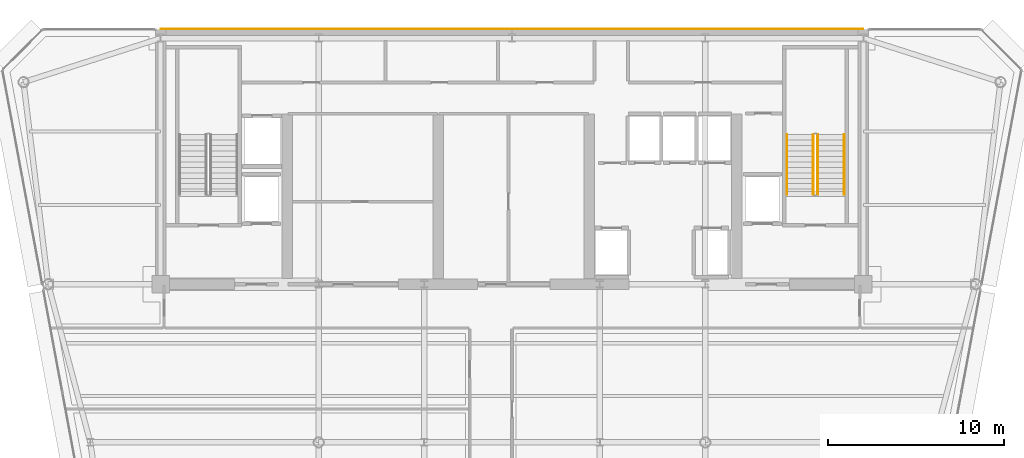
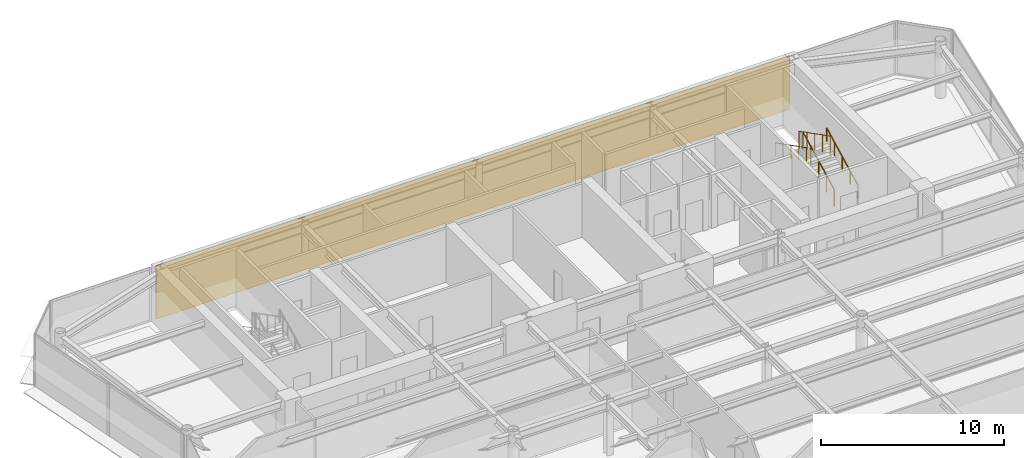
# One storey, part 17 of 18: 4 railings, 1 covering.
"""IFC4 building model written with IfcOpenShell, lengths in metres."""

from ifc_helpers import new_model, si_unit, direction, frame, origin, origin_2d, place, context, subcontext, project, spatial, polyline, circle, outline, extrude, material, layer, layer_set, type_object, element, save


model = new_model("IFC4")

# Units and contexts
model_context = context("Model", 3, precision=1e-05, world=origin(), true_north=direction((0.0, 1.0)))
body_context = subcontext(model_context, "Body", "Model", "MODEL_VIEW")
ifc_project = project(units=[si_unit("LENGTHUNIT", "METRE"), si_unit("AREAUNIT", "SQUARE_METRE"), si_unit("VOLUMEUNIT", "CUBIC_METRE"), si_unit("PLANEANGLEUNIT", "RADIAN"), si_unit("MASSUNIT", "GRAM", prefix="KILO")], contexts=[model_context])

# Site, building, storey
site_placement = place(None, origin())
site = spatial("IfcSite", under=ifc_project, at=site_placement, CompositionType="ELEMENT")
building_placement = place(site_placement, origin())
building = spatial("IfcBuilding", under=site, at=building_placement, Name="Vaeldorn Concourse Tower", CompositionType="ELEMENT")
storey_placement = place(building_placement, frame((0.0, 0.0, 242.199951171875)))
storey = spatial("IfcBuildingStorey", under=building, at=storey_placement, Name="L62", CompositionType="ELEMENT", Elevation=242.199951171875)

# Covering
ifc_material = material(Name="Anodised Bronze Aluminium", Category="aluminium")
ifc_layer = layer(ifc_material, 0.050048828125)
ifc_layer_set = layer_set([ifc_layer], Name="Anodised Bronze Aluminium")
covering_type = type_object("IfcCoveringType", Name="COV-CLAD-BRONZE", PredefinedType="CLADDING", material=ifc_layer_set)
covering_placement = place(storey_placement, origin())
element("IfcCovering", 1, at=covering_placement, inside=storey, type_object=covering_type, Name="Rear Core Bronze Spandrel Cladding L62", PredefinedType="CLADDING", context=body_context, shape_type="SweptSolid", body=[
    extrude(outline(polyline([(14.0, 51.0), (54.0, 51.0), (54.0, 51.050048828125), (14.0, 51.050048828125), (14.0, 51.0)])), origin(), (0.0, 0.0, 1.0), 3.580078125),
])

# Railings
railing_type_1 = type_object("IfcRailingType", Name="RL-STAIR-GUARD", PredefinedType="GUARDRAIL", material=ifc_material)
railing_1_placement = place(storey_placement, frame((51.39990234375, 41.60009765625, 0.158447265625)))
element("IfcRailing", 2, at=railing_1_placement, inside=storey, type_object=railing_type_1, Name="L62 ST-2 stair guard 1", PredefinedType="GUARDRAIL", context=body_context, shape_type="SweptSolid", body=[
    extrude(circle(Radius=0.02392578125, at=origin_2d()), frame((0.0, 0.0, 1.1259765625), z_axis=(0.0, 0.890555807335, 0.454873997962), x_axis=(-1.0, 0.0, 0.0)), (0.0, 0.0, 1.0), 3.828857421875),
    extrude(circle(Radius=0.02099609375, at=origin_2d()), origin(), (0.0, 0.0, 1.0), 1.101806640625),
    extrude(circle(Radius=0.02099609375, at=origin_2d()), frame((0.0, 0.8525390625, 0.435546875)), (0.0, 0.0, 1.0), 1.101806640625),
    extrude(circle(Radius=0.02099609375, at=origin_2d()), frame((0.0, 1.705078125, 0.870849609375)), (0.0, 0.0, 1.0), 1.101806640625),
    extrude(circle(Radius=0.02099609375, at=origin_2d()), frame((0.0, 2.557373046875, 1.30615234375)), (0.0, 0.0, 1.0), 1.101806640625),
    extrude(circle(Radius=0.02099609375, at=origin_2d()), frame((0.0, 3.409912109375, 1.74169921875)), (0.0, 0.0, 1.0), 1.101806640625),
])
railing_2_placement = place(storey_placement, frame((51.14990234375, 45.010009765625, 2.058349609375)))
element("IfcRailing", 3, at=railing_2_placement, inside=storey, type_object=railing_type_1, Name="L62 ST-2 stair guard 3", PredefinedType="GUARDRAIL", context=body_context, shape_type="SweptSolid", body=[
    extrude(circle(Radius=0.02392578125, at=origin_2d()), frame((0.0, 0.0, 1.1259765625), z_axis=(0.0, -0.890555807335, 0.454873997962), x_axis=(1.0, 0.0, 0.0)), (0.0, 0.0, 1.0), 3.828857421875),
    extrude(circle(Radius=0.02099609375, at=origin_2d()), origin(), (0.0, 0.0, 1.0), 1.101806640625),
    extrude(circle(Radius=0.02099609375, at=origin_2d()), frame((0.0, -0.8525390625, 0.435546875)), (0.0, 0.0, 1.0), 1.101806640625),
    extrude(circle(Radius=0.02099609375, at=origin_2d()), frame((0.0, -1.705078125, 0.870849609375)), (0.0, 0.0, 1.0), 1.101806640625),
    extrude(circle(Radius=0.02099609375, at=origin_2d()), frame((0.0, -2.557373046875, 1.30615234375)), (0.0, 0.0, 1.0), 1.101806640625),
    extrude(circle(Radius=0.02099609375, at=origin_2d()), frame((0.0, -3.409912109375, 1.74169921875)), (0.0, 0.0, 1.0), 1.101806640625),
])
railing_type_2 = type_object("IfcRailingType", Name="RL-STAIR-HANDRAIL", PredefinedType="HANDRAIL", material=ifc_material)
railing_3_placement = place(storey_placement, frame((52.89990234375, 41.60009765625, 0.158447265625)))
element("IfcRailing", 4, at=railing_3_placement, inside=storey, type_object=railing_type_2, Name="L62 ST-2 stair handrail 1", PredefinedType="HANDRAIL", context=body_context, shape_type="SweptSolid", body=[
    extrude(circle(Radius=0.02392578125, at=origin_2d()), frame((0.0, 0.0, 0.8759765625), z_axis=(0.0, 0.890555807335, 0.454873997962), x_axis=(-1.0, 0.0, 0.0)), (0.0, 0.0, 1.0), 3.828857421875),
    extrude(circle(Radius=0.02099609375, at=origin_2d()), origin(), (0.0, 0.0, 1.0), 0.851806640625),
    extrude(circle(Radius=0.02099609375, at=origin_2d()), frame((0.0, 0.8525390625, 0.435546875)), (0.0, 0.0, 1.0), 0.851806640625),
    extrude(circle(Radius=0.02099609375, at=origin_2d()), frame((0.0, 1.705078125, 0.870849609375)), (0.0, 0.0, 1.0), 0.851806640625),
    extrude(circle(Radius=0.02099609375, at=origin_2d()), frame((0.0, 2.557373046875, 1.30615234375)), (0.0, 0.0, 1.0), 0.851806640625),
    extrude(circle(Radius=0.02099609375, at=origin_2d()), frame((0.0, 3.409912109375, 1.74169921875)), (0.0, 0.0, 1.0), 0.851806640625),
])
railing_4_placement = place(storey_placement, frame((49.64990234375, 45.010009765625, 2.058349609375)))
element("IfcRailing", 5, at=railing_4_placement, inside=storey, type_object=railing_type_2, Name="L62 ST-2 stair handrail 2", PredefinedType="HANDRAIL", context=body_context, shape_type="SweptSolid", body=[
    extrude(circle(Radius=0.02392578125, at=origin_2d()), frame((0.0, 0.0, 0.8759765625), z_axis=(0.0, -0.890555807335, 0.454873997962), x_axis=(1.0, 0.0, 0.0)), (0.0, 0.0, 1.0), 3.828857421875),
    extrude(circle(Radius=0.02099609375, at=origin_2d()), origin(), (0.0, 0.0, 1.0), 0.851806640625),
    extrude(circle(Radius=0.02099609375, at=origin_2d()), frame((0.0, -0.8525390625, 0.435546875)), (0.0, 0.0, 1.0), 0.851806640625),
    extrude(circle(Radius=0.02099609375, at=origin_2d()), frame((0.0, -1.705078125, 0.870849609375)), (0.0, 0.0, 1.0), 0.851806640625),
    extrude(circle(Radius=0.02099609375, at=origin_2d()), frame((0.0, -2.557373046875, 1.30615234375)), (0.0, 0.0, 1.0), 0.851806640625),
    extrude(circle(Radius=0.02099609375, at=origin_2d()), frame((0.0, -3.409912109375, 1.74169921875)), (0.0, 0.0, 1.0), 0.851806640625),
])

save(model, "model.ifc")
